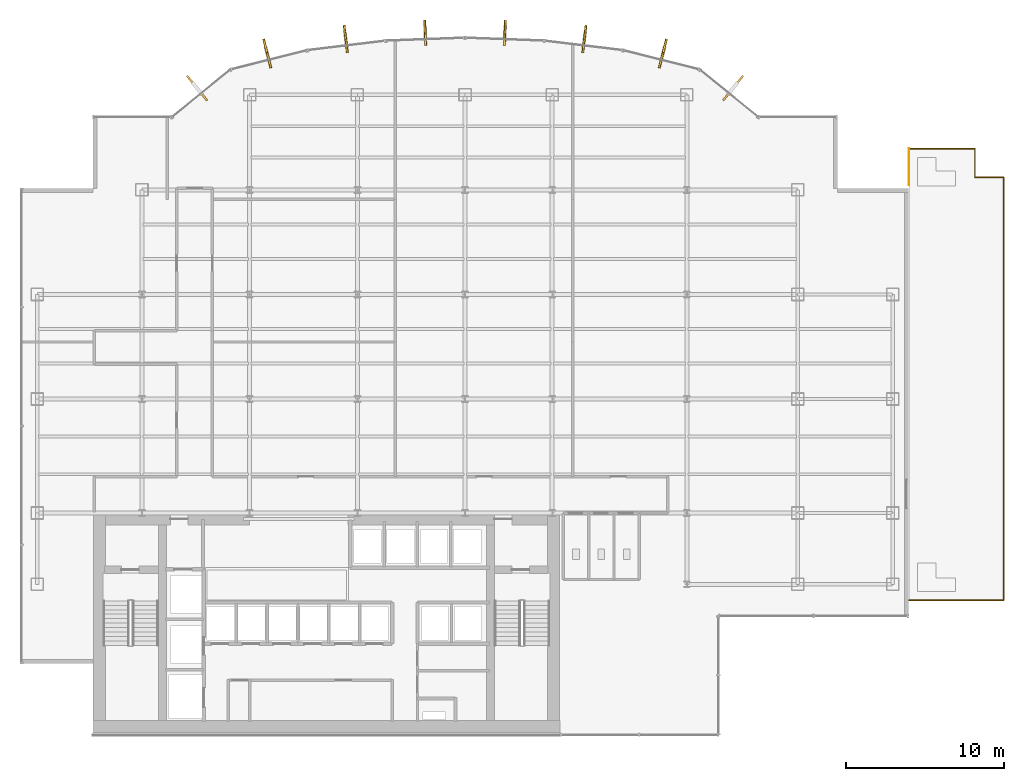
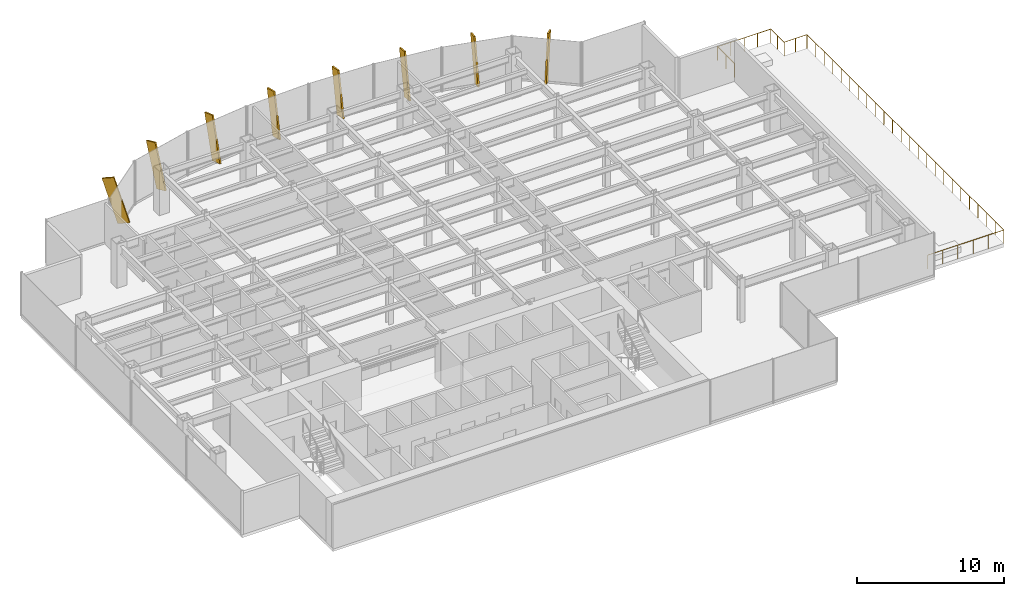
# One storey, part 24 of 25: 8 shading devices, 2 railings.
"""IFC4 building model written with IfcOpenShell, lengths in metres."""

from ifc_helpers import new_model, si_unit, derived_unit, direction, frame, origin, origin_2d, place, context, subcontext, project, spatial, rectangle, circle, extrude, source, transform, mapped, material, type_object, element, save


model = new_model("IFC4")

# Units and contexts
model_context = context("Model", 3, precision=1e-05, world=origin(), true_north=direction((0.0, 1.0)))
body_context = subcontext(model_context, "Body", "Model", "MODEL_VIEW")
ifc_project = project(units=[si_unit("LENGTHUNIT", "METRE"), si_unit("AREAUNIT", "SQUARE_METRE"), si_unit("VOLUMEUNIT", "CUBIC_METRE"), si_unit("PLANEANGLEUNIT", "RADIAN"), si_unit("MASSUNIT", "GRAM", prefix="KILO"), derived_unit("THERMALTRANSMITTANCEUNIT", [(si_unit("POWERUNIT", "WATT"), 1), (si_unit("LENGTHUNIT", "METRE"), -2), (si_unit("THERMODYNAMICTEMPERATUREUNIT", "KELVIN"), -1)])], contexts=[model_context])

# Site, building, storey
site_placement = place(None, origin())
site = spatial("IfcSite", under=ifc_project, at=site_placement, CompositionType="ELEMENT")
building_placement = place(site_placement, origin())
building = spatial("IfcBuilding", under=site, at=building_placement, Name="Skarnbrae Concourse Arena and Tower", CompositionType="ELEMENT")
storey_placement = place(building_placement, frame((0.0, 0.0, 88.64990234375)))
storey = spatial("IfcBuildingStorey", under=building, at=storey_placement, Name="L21", CompositionType="ELEMENT", Elevation=88.64990234375)

# Railings
ifc_material_1 = material(Name="Steel CSA G40.21 350W", Category="steel")
railing_type = type_object("IfcRailingType", Name="RAIL-GUARD-1150", PredefinedType="GUARDRAIL", material=ifc_material_1)
railing_1_placement = place(storey_placement, frame((56.02001953125, 8.5, 0.0)))
element("IfcRailing", 1, at=railing_1_placement, inside=storey, type_object=railing_type, Name="L21 Outdoor setback terrace perimeter guardrail", PredefinedType="GUARDRAIL", context=body_context, shape_type="SweptSolid", body=[
    extrude(circle(Radius=0.02392578125, at=origin_2d()), frame((0.0, 0.0, 1.1259765625), z_axis=(1.0, 0.0, 0.0), x_axis=(0.0, 1.0, 0.0)), (0.0, 0.0, 1.0), 5.97998046875),
    extrude(circle(Radius=0.02392578125, at=origin_2d()), frame((5.97998046875, 0.0, 1.1259765625), z_axis=(0.0, 1.0, 0.0), x_axis=(-1.0, 0.0, 0.0)), (0.0, 0.0, 1.0), 26.699951171875),
    extrude(circle(Radius=0.02392578125, at=origin_2d()), frame((5.97998046875, 26.699951171875, 1.1259765625), z_axis=(-1.0, 0.0, 0.0), x_axis=(0.0, -1.0, 0.0)), (0.0, 0.0, 1.0), 1.800048828125),
    extrude(circle(Radius=0.02392578125, at=origin_2d()), frame((4.179931640625, 26.699951171875, 1.1259765625), z_axis=(0.0, 1.0, 0.0), x_axis=(-1.0, 0.0, 0.0)), (0.0, 0.0, 1.0), 1.800048828125),
    extrude(circle(Radius=0.02392578125, at=origin_2d()), frame((4.179931640625, 28.5, 1.1259765625), z_axis=(-1.0, 0.0, 0.0), x_axis=(0.0, -1.0, 0.0)), (0.0, 0.0, 1.0), 4.179931640625),
    extrude(circle(Radius=0.02099609375, at=origin_2d()), origin(), (0.0, 0.0, 1.0), 1.101806640625),
    extrude(circle(Radius=0.02099609375, at=origin_2d()), frame((1.196044921875, 0.0, 0.0)), (0.0, 0.0, 1.0), 1.101806640625),
    extrude(circle(Radius=0.02099609375, at=origin_2d()), frame((2.39208984375, 0.0, 0.0)), (0.0, 0.0, 1.0), 1.101806640625),
    extrude(circle(Radius=0.02099609375, at=origin_2d()), frame((3.587890625, 0.0, 0.0)), (0.0, 0.0, 1.0), 1.101806640625),
    extrude(circle(Radius=0.02099609375, at=origin_2d()), frame((4.783935546875, 0.0, 0.0)), (0.0, 0.0, 1.0), 1.101806640625),
    extrude(circle(Radius=0.02099609375, at=origin_2d()), frame((5.97998046875, 0.0, 0.0)), (0.0, 0.0, 1.0), 1.101806640625),
    extrude(circle(Radius=0.02099609375, at=origin_2d()), frame((5.97998046875, 1.160888671875, 0.0)), (0.0, 0.0, 1.0), 1.101806640625),
    extrude(circle(Radius=0.02099609375, at=origin_2d()), frame((5.97998046875, 2.32177734375, 0.0)), (0.0, 0.0, 1.0), 1.101806640625),
    extrude(circle(Radius=0.02099609375, at=origin_2d()), frame((5.97998046875, 3.482666015625, 0.0)), (0.0, 0.0, 1.0), 1.101806640625),
    extrude(circle(Radius=0.02099609375, at=origin_2d()), frame((5.97998046875, 4.6435546875, 0.0)), (0.0, 0.0, 1.0), 1.101806640625),
    extrude(circle(Radius=0.02099609375, at=origin_2d()), frame((5.97998046875, 5.804443359375, 0.0)), (0.0, 0.0, 1.0), 1.101806640625),
    extrude(circle(Radius=0.02099609375, at=origin_2d()), frame((5.97998046875, 6.965087890625, 0.0)), (0.0, 0.0, 1.0), 1.101806640625),
    extrude(circle(Radius=0.02099609375, at=origin_2d()), frame((5.97998046875, 8.1259765625, 0.0)), (0.0, 0.0, 1.0), 1.101806640625),
    extrude(circle(Radius=0.02099609375, at=origin_2d()), frame((5.97998046875, 9.286865234375, 0.0)), (0.0, 0.0, 1.0), 1.101806640625),
    extrude(circle(Radius=0.02099609375, at=origin_2d()), frame((5.97998046875, 10.44775390625, 0.0)), (0.0, 0.0, 1.0), 1.101806640625),
    extrude(circle(Radius=0.02099609375, at=origin_2d()), frame((5.97998046875, 11.608642578125, 0.0)), (0.0, 0.0, 1.0), 1.101806640625),
    extrude(circle(Radius=0.02099609375, at=origin_2d()), frame((5.97998046875, 12.76953125, 0.0)), (0.0, 0.0, 1.0), 1.101806640625),
    extrude(circle(Radius=0.02099609375, at=origin_2d()), frame((5.97998046875, 13.930419921875, 0.0)), (0.0, 0.0, 1.0), 1.101806640625),
    extrude(circle(Radius=0.02099609375, at=origin_2d()), frame((5.97998046875, 15.09130859375, 0.0)), (0.0, 0.0, 1.0), 1.101806640625),
    extrude(circle(Radius=0.02099609375, at=origin_2d()), frame((5.97998046875, 16.252197265625, 0.0)), (0.0, 0.0, 1.0), 1.101806640625),
    extrude(circle(Radius=0.02099609375, at=origin_2d()), frame((5.97998046875, 17.4130859375, 0.0)), (0.0, 0.0, 1.0), 1.101806640625),
    extrude(circle(Radius=0.02099609375, at=origin_2d()), frame((5.97998046875, 18.573974609375, 0.0)), (0.0, 0.0, 1.0), 1.101806640625),
    extrude(circle(Radius=0.02099609375, at=origin_2d()), frame((5.97998046875, 19.73486328125, 0.0)), (0.0, 0.0, 1.0), 1.101806640625),
    extrude(circle(Radius=0.02099609375, at=origin_2d()), frame((5.97998046875, 20.8955078125, 0.0)), (0.0, 0.0, 1.0), 1.101806640625),
    extrude(circle(Radius=0.02099609375, at=origin_2d()), frame((5.97998046875, 22.056396484375, 0.0)), (0.0, 0.0, 1.0), 1.101806640625),
    extrude(circle(Radius=0.02099609375, at=origin_2d()), frame((5.97998046875, 23.21728515625, 0.0)), (0.0, 0.0, 1.0), 1.101806640625),
    extrude(circle(Radius=0.02099609375, at=origin_2d()), frame((5.97998046875, 24.378173828125, 0.0)), (0.0, 0.0, 1.0), 1.101806640625),
    extrude(circle(Radius=0.02099609375, at=origin_2d()), frame((5.97998046875, 25.5390625, 0.0)), (0.0, 0.0, 1.0), 1.101806640625),
    extrude(circle(Radius=0.02099609375, at=origin_2d()), frame((5.97998046875, 26.699951171875, 0.0)), (0.0, 0.0, 1.0), 1.101806640625),
    extrude(circle(Radius=0.02099609375, at=origin_2d()), frame((5.080078125, 26.699951171875, 0.0)), (0.0, 0.0, 1.0), 1.101806640625),
    extrude(circle(Radius=0.02099609375, at=origin_2d()), frame((4.179931640625, 26.699951171875, 0.0)), (0.0, 0.0, 1.0), 1.101806640625),
    extrude(circle(Radius=0.02099609375, at=origin_2d()), frame((4.179931640625, 27.60009765625, 0.0)), (0.0, 0.0, 1.0), 1.101806640625),
    extrude(circle(Radius=0.02099609375, at=origin_2d()), frame((4.179931640625, 28.5, 0.0)), (0.0, 0.0, 1.0), 1.101806640625),
    extrude(circle(Radius=0.02099609375, at=origin_2d()), frame((3.135009765625, 28.5, 0.0)), (0.0, 0.0, 1.0), 1.101806640625),
    extrude(circle(Radius=0.02099609375, at=origin_2d()), frame((2.08984375, 28.5, 0.0)), (0.0, 0.0, 1.0), 1.101806640625),
    extrude(circle(Radius=0.02099609375, at=origin_2d()), frame((1.044921875, 28.5, 0.0)), (0.0, 0.0, 1.0), 1.101806640625),
    extrude(circle(Radius=0.02099609375, at=origin_2d()), frame((0.0, 28.5, 0.0)), (0.0, 0.0, 1.0), 1.101806640625),
])
railing_2_placement = place(storey_placement, frame((56.02001953125, 34.698974609375, 0.0)))
element("IfcRailing", 2, at=railing_2_placement, inside=storey, type_object=railing_type, Name="L21 Outdoor setback terrace corner-notch guardrail 1", PredefinedType="GUARDRAIL", context=body_context, shape_type="SweptSolid", body=[
    extrude(circle(Radius=0.02392578125, at=origin_2d()), frame((0.0, 0.0, 1.1259765625), z_axis=(0.0, 1.0, 0.0), x_axis=(-1.0, 0.0, 0.0)), (0.0, 0.0, 1.0), 2.301025390625),
    extrude(circle(Radius=0.02099609375, at=origin_2d()), origin(), (0.0, 0.0, 1.0), 1.101806640625),
    extrude(circle(Radius=0.02099609375, at=origin_2d()), frame((0.0, 1.150390625, 0.0)), (0.0, 0.0, 1.0), 1.101806640625),
    extrude(circle(Radius=0.02099609375, at=origin_2d()), frame((0.0, 2.301025390625, 0.0)), (0.0, 0.0, 1.0), 1.101806640625),
])

# Shading devices
ifc_material_2 = material(Name="Bronze anodised aluminium 6063-T6", Category="aluminium")
shading_device_type = type_object("IfcShadingDeviceType", Name="SHD-BRONZE-FIN-900", PredefinedType="USERDEFINED", material=ifc_material_2)
shared_shape = source(origin(), body_context, "Body", "SweptSolid", [
    extrude(rectangle(XDim=0.1201171875, YDim=0.89990234375, at=origin_2d()), origin(), (0.0, 0.0, 1.0), 3.64990234375),
])
for number, where, z_axis, x_axis, name in (
    (3, (44.55859375, 40.37841796875, 0.0927734375), (0.198264255826, 0.24412076913, 0.949260941439), (0.776244501415, -0.630431974144, 0.0), "L21 Outward-leaning bronze shading fin 08"),
    (4, (40.3662109375, 42.518310546875, 0.072509765625), (0.067892551055, 0.270431405469, 0.960342364184), (0.969901771235, -0.243496517748, 0.0), "L21 Outward-leaning bronze shading fin 09"),
    (5, (35.47998046875, 43.5, 0.052490234375), (0.02855092597, 0.235794115114, 0.971383539033), (0.992748952377, -0.120206146079, 0.0), "L21 Outward-leaning bronze shading fin 10"),
    (6, (30.501953125, 43.970947265625, 0.035400390625), (0.007254315011, 0.194955401716, 0.980785280403), (0.999308421355, -0.037184392011, 0.0), "L21 Outward-leaning bronze shading fin 11"),
    (7, (25.498046875, 43.970947265625, 0.035400390625), (-0.007254315011, 0.194955401716, 0.980785280403), (0.999308421355, 0.037184392011, 0.0), "L21 Outward-leaning bronze shading fin 12"),
    (8, (20.52001953125, 43.5, 0.052490234375), (-0.02855092597, 0.235794115114, 0.971383539033), (0.992748952377, 0.120206146079, 0.0), "L21 Outward-leaning bronze shading fin 13"),
    (9, (15.6337890625, 42.518310546875, 0.072509765625), (-0.067892551055, 0.270431405469, 0.960342364184), (0.969901771235, 0.243496517748, 0.0), "L21 Outward-leaning bronze shading fin 14"),
    (10, (11.44140625, 40.37841796875, 0.0927734375), (-0.198264255826, 0.24412076913, 0.949260941439), (0.776244501415, 0.630431974144, 0.0), "L21 Outward-leaning bronze shading fin 15"),
):
    element("IfcShadingDevice", number, at=place(storey_placement, frame(where, z_axis=z_axis, x_axis=x_axis)), inside=storey, type_object=shading_device_type, Name=name, ObjectType="FIN", PredefinedType="USERDEFINED", context=body_context, shape_type="MappedRepresentation", body=[
        mapped(shared_shape, transform((0.0, 0.0, 0.0))),
    ])

save(model, "model.ifc")
